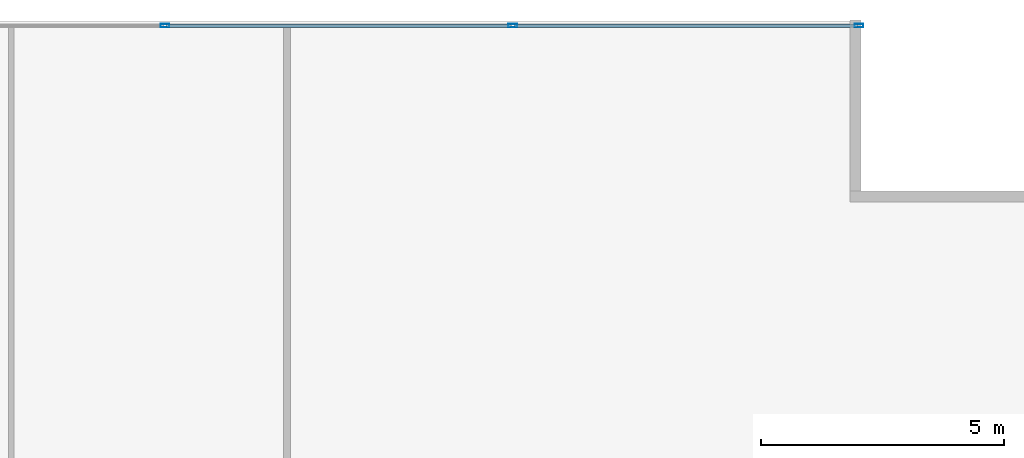
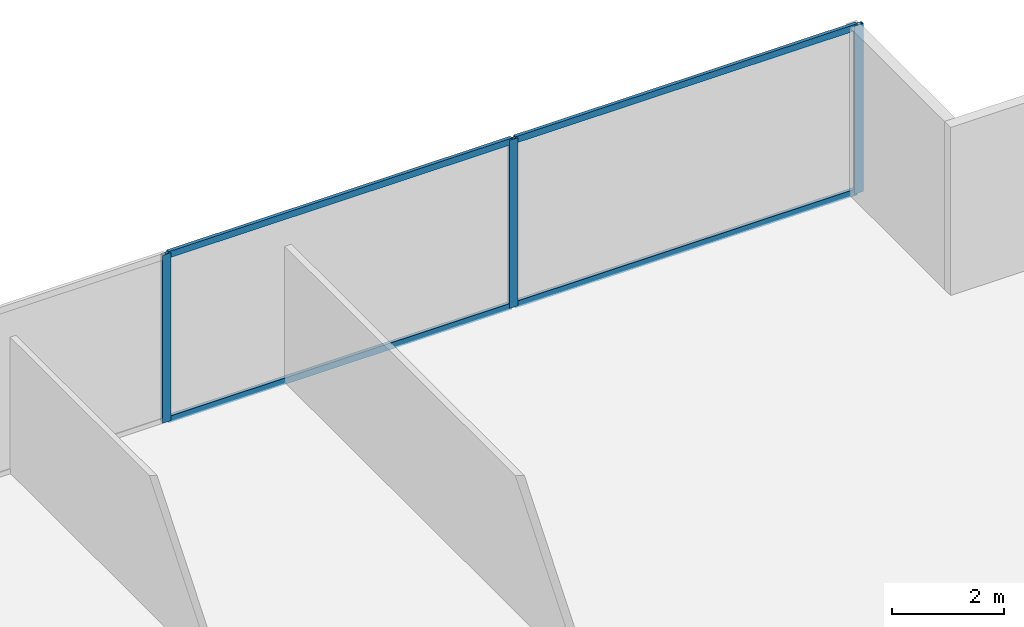
# One storey, part 23 of 28: 7 members, 1 element without a shape of its own.
"""IFC4 building model written with IfcOpenShell, lengths in metres."""

from ifc_helpers import new_model, si_unit, direction, frame, origin, origin_2d, place, context, subcontext, project, spatial, hollow_rectangle, extrude, source, transform, mapped, material, material_profile, profile_set, type_object, type_shapes, element, aggregate, save


model = new_model("IFC4")

# Units and contexts
model_context = context("Model", 3, precision=1e-05, world=origin(), true_north=direction((0.0, 1.0)))
body_context = subcontext(model_context, "Body", "Model", "MODEL_VIEW")
ifc_project = project(units=[si_unit("LENGTHUNIT", "METRE"), si_unit("AREAUNIT", "SQUARE_METRE"), si_unit("VOLUMEUNIT", "CUBIC_METRE"), si_unit("PLANEANGLEUNIT", "RADIAN"), si_unit("MASSUNIT", "GRAM", prefix="KILO")], contexts=[model_context])

# Site, building, storey
site_placement = place(None, origin())
site = spatial("IfcSite", under=ifc_project, at=site_placement, CompositionType="ELEMENT")
building_placement = place(site_placement, origin())
building = spatial("IfcBuilding", under=site, at=building_placement, Name="Krantzveldt Concourse Tower", CompositionType="ELEMENT")
storey_placement = place(building_placement, frame((0.0, 0.0, 32.89990234375)))
storey = spatial("IfcBuildingStorey", under=building, at=storey_placement, Name="L07", CompositionType="ELEMENT", Elevation=32.89990234375)

# Curtain wall, members
ifc_material = material(Name="Anodised aluminium 6063-T6", Category="aluminium")
curtain_wall_type = type_object("IfcCurtainWallType", Name="CW2", PredefinedType="USERDEFINED", material=ifc_material)
curtain_wall_placement = place(storey_placement, origin())
curtain_wall = element("IfcCurtainWall", 1, at=curtain_wall_placement, inside=storey, type_object=curtain_wall_type, Name="CW-L07-F10", ObjectType="UNITISED CURTAIN WALL", PredefinedType="USERDEFINED")
ifc_material_profile_1 = material_profile(ifc_material, hollow_rectangle(XDim=0.070068359375, YDim=0.139892578125, WallThickness=0.0048828125, at=origin_2d()), Name="Anodised aluminium 6063-T6", Category="aluminium")
ifc_profile_set_1 = profile_set([ifc_material_profile_1], Name="Anodised aluminium 6063-T6 - ALU-TRAN 140x70x5")
member_type_1 = type_object("IfcMemberType", Name="CW-TRN-150", PredefinedType="USERDEFINED", material=ifc_profile_set_1)
shared_shape_1 = source(origin(), body_context, "Body", "SweptSolid", [
    extrude(hollow_rectangle(XDim=0.070068359375, YDim=0.139892578125, WallThickness=0.0048828125, at=origin_2d()), origin(), (0.0, 0.0, 1.0), 7.0615234375),
])
member_1_placement = place(storey_placement, frame((57.429931640625, 51.610107421875, 0.03515625), z_axis=(-1.0, 0.0, 0.0), x_axis=(0.0, -1.0, 0.0)))
member_1 = element("IfcMember", 2, at=member_1_placement, type_object=member_type_1, Name="CW-Z12 transom 1.1", ObjectType="TRANSOM", PredefinedType="USERDEFINED", context=body_context, shape_type="MappedRepresentation", body=[
    mapped(shared_shape_1, transform((0.0, 0.0, 0.0), x_axis=(1.0, 0.0, 0.0), y_axis=(0.0, 1.0, 0.0), z_axis=(0.0, 0.0, 1.0), scale=1.0)),
])
member_2_placement = place(storey_placement, frame((57.429931640625, 51.610107421875, 3.635009765625), z_axis=(-1.0, 0.0, 0.0), x_axis=(0.0, -1.0, 0.0)))
member_2 = element("IfcMember", 3, at=member_2_placement, type_object=member_type_1, Name="CW-Z12 transom 1.2", ObjectType="TRANSOM", PredefinedType="USERDEFINED", context=body_context, shape_type="MappedRepresentation", body=[
    mapped(shared_shape_1, transform((0.0, 0.0, 0.0), x_axis=(1.0, 0.0, 0.0), y_axis=(0.0, 1.0, 0.0), z_axis=(0.0, 0.0, 1.0), scale=1.0)),
])
shared_shape_2 = source(origin(), body_context, "Body", "SweptSolid", [
    extrude(hollow_rectangle(XDim=0.070068359375, YDim=0.139892578125, WallThickness=0.0048828125, at=origin_2d()), origin(), (0.0, 0.0, 1.0), 7.0966796875),
])
type_shapes(member_type_1, [shared_shape_1, shared_shape_2])
member_3_placement = place(storey_placement, frame((50.29833984375, 51.610107421875, 0.03515625), z_axis=(-1.0, 0.0, 0.0), x_axis=(0.0, -1.0, 0.0)))
member_3 = element("IfcMember", 4, at=member_3_placement, type_object=member_type_1, Name="CW-Z12 transom 2.1", ObjectType="TRANSOM", PredefinedType="USERDEFINED", context=body_context, shape_type="MappedRepresentation", body=[
    mapped(shared_shape_2, transform((0.0, 0.0, 0.0), x_axis=(1.0, 0.0, 0.0), y_axis=(0.0, 1.0, 0.0), z_axis=(0.0, 0.0, 1.0), scale=1.0)),
])
member_4_placement = place(storey_placement, frame((50.29833984375, 51.610107421875, 3.635009765625), z_axis=(-1.0, 0.0, 0.0), x_axis=(0.0, -1.0, 0.0)))
member_4 = element("IfcMember", 5, at=member_4_placement, type_object=member_type_1, Name="CW-Z12 transom 2.2", ObjectType="TRANSOM", PredefinedType="USERDEFINED", context=body_context, shape_type="MappedRepresentation", body=[
    mapped(shared_shape_2, transform((0.0, 0.0, 0.0), x_axis=(1.0, 0.0, 0.0), y_axis=(0.0, 1.0, 0.0), z_axis=(0.0, 0.0, 1.0), scale=1.0)),
])
ifc_material_profile_2 = material_profile(ifc_material, hollow_rectangle(XDim=0.070068359375, YDim=0.179931640625, WallThickness=0.0048828125, at=origin_2d()), Name="Anodised aluminium 6063-T6", Category="aluminium")
ifc_profile_set_2 = profile_set([ifc_material_profile_2], Name="Anodised aluminium 6063-T6 - ALU-MULL 180x70x5")
member_type_2 = type_object("IfcMemberType", Name="CW-MUL-180", PredefinedType="MULLION", material=ifc_profile_set_2)
shared_shape_3 = source(origin(), body_context, "Body", "SweptSolid", [
    extrude(hollow_rectangle(XDim=0.070068359375, YDim=0.179931640625, WallThickness=0.0048828125, at=origin_2d()), origin(), (0.0, 0.0, 1.0), 3.670166015625),
])
type_shapes(member_type_2, [shared_shape_3])
member_5_placement = place(storey_placement, frame((57.465087890625, 51.610107421875, 0.0), z_axis=(0.0, 0.0, 1.0), x_axis=(0.0, -1.0, 0.0)))
member_5 = element("IfcMember", 6, at=member_5_placement, type_object=member_type_2, Name="CW-Z12 mullion 1", PredefinedType="MULLION", context=body_context, shape_type="MappedRepresentation", body=[
    mapped(shared_shape_3, transform((0.0, 0.0, 0.0), x_axis=(1.0, 0.0, 0.0), y_axis=(0.0, 1.0, 0.0), z_axis=(0.0, 0.0, 1.0), scale=1.0)),
])
member_6_placement = place(storey_placement, frame((50.333251953125, 51.610107421875, 0.0), z_axis=(0.0, 0.0, 1.0), x_axis=(0.0, -1.0, 0.0)))
member_6 = element("IfcMember", 7, at=member_6_placement, type_object=member_type_2, Name="CW-Z12 mullion 2", PredefinedType="MULLION", context=body_context, shape_type="MappedRepresentation", body=[
    mapped(shared_shape_3, transform((0.0, 0.0, 0.0), x_axis=(1.0, 0.0, 0.0), y_axis=(0.0, 1.0, 0.0), z_axis=(0.0, 0.0, 1.0), scale=1.0)),
])
member_7_placement = place(storey_placement, frame((43.166748046875, 51.610107421875, 0.0), z_axis=(0.0, 0.0, 1.0), x_axis=(0.0, -1.0, 0.0)))
member_7 = element("IfcMember", 8, at=member_7_placement, type_object=member_type_2, Name="CW-Z12 mullion 3", PredefinedType="MULLION", context=body_context, shape_type="MappedRepresentation", body=[
    mapped(shared_shape_3, transform((0.0, 0.0, 0.0), x_axis=(1.0, 0.0, 0.0), y_axis=(0.0, 1.0, 0.0), z_axis=(0.0, 0.0, 1.0), scale=1.0)),
])
aggregate(curtain_wall, [member_5, member_6, member_7, member_1, member_2, member_3, member_4])

save(model, "model.ifc")
